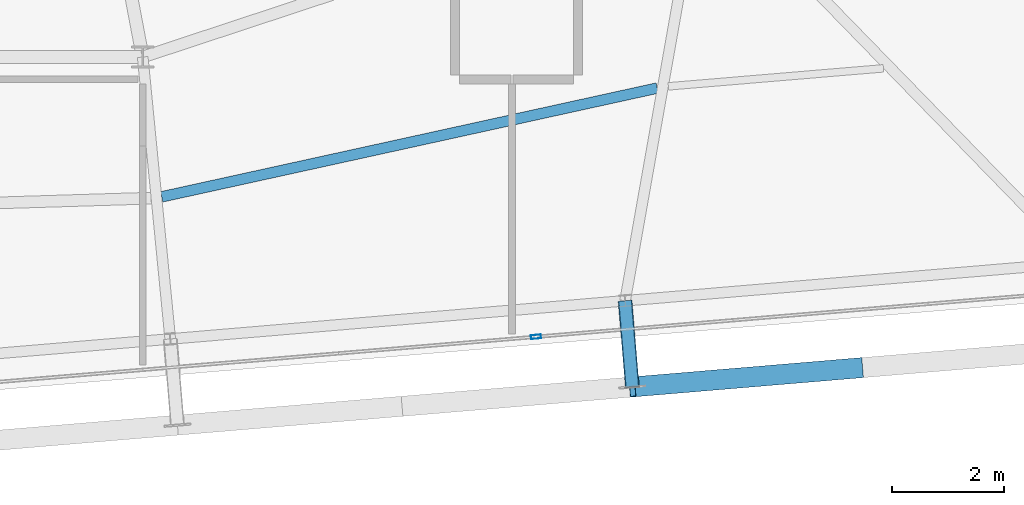
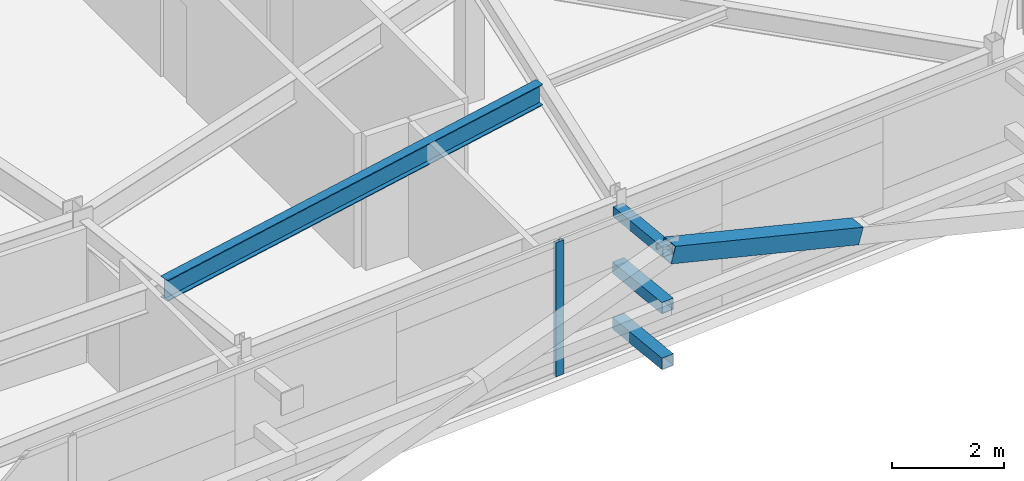
# One storey, part 16 of 37: 5 members, 1 beam, 1 element without a shape of its own.
"""IFC4 building model written with IfcOpenShell, lengths in metres."""

from ifc_helpers import new_model, si_unit, direction, frame, origin, origin_2d, place, context, subcontext, project, spatial, hollow_rectangle, i_section, extrude, source, transform, mapped, material, layer, layer_set, material_profile, profile_set, type_object, element, aggregate, save


model = new_model("IFC4")

# Units and contexts
model_context = context("Model", 3, precision=1e-05, world=origin(), true_north=direction((0.0, 1.0)))
body_context = subcontext(model_context, "Body", "Model", "MODEL_VIEW")
ifc_project = project(units=[si_unit("LENGTHUNIT", "METRE"), si_unit("AREAUNIT", "SQUARE_METRE"), si_unit("VOLUMEUNIT", "CUBIC_METRE"), si_unit("PLANEANGLEUNIT", "RADIAN"), si_unit("MASSUNIT", "GRAM", prefix="KILO")], contexts=[model_context])

# Site, building, storey
site_placement = place(None, origin())
site = spatial("IfcSite", under=ifc_project, at=site_placement, CompositionType="ELEMENT")
building_placement = place(site_placement, origin())
building = spatial("IfcBuilding", under=site, at=building_placement, Name="Taldren Reach Tower", CompositionType="ELEMENT")
storey_placement = place(building_placement, frame((0.0, 0.0, 200.89990234375)))
storey = spatial("IfcBuildingStorey", under=building, at=storey_placement, Name="L61", CompositionType="ELEMENT", Elevation=200.89990234375)

# Members
ifc_material_1 = material(Name="Steel Gr 350 (C350L0)", Category="steel")
ifc_material_profile_1 = material_profile(ifc_material_1, hollow_rectangle(XDim=0.25, YDim=0.25, WallThickness=0.010009765625, at=origin_2d()), Name="250x250x10.0SHS")
ifc_profile_set_1 = profile_set([ifc_material_profile_1], Name="Steel Gr 350 (C350L0)")
member_type_1 = type_object("IfcMemberType", Name="MB-POST250", PredefinedType="POST", material=ifc_profile_set_1)
shared_shape_1 = source(origin(), body_context, "Body", "SweptSolid", [
    extrude(hollow_rectangle(XDim=0.25, YDim=0.25, WallThickness=0.010009765625, at=origin_2d()), origin(), (0.0, 0.0, 1.0), 1.550048828125),
])
for number, where, z_axis, x_axis, name in (
    (1, (50.644775390625, 4.83203125, 0.22021484375), (0.083788408178, -0.996483568683, 0.0), (0.996483568683, 0.083788408178, 0.0), "Exoskeleton base diaphragm tie strut B4-S5 L61"),
    (2, (50.644775390625, 4.83203125, 1.43505859375), (0.083788408178, -0.996483568683, 0.0), (0.996483568683, 0.083788408178, 0.0), "Exoskeleton mid-tier diaphragm tie B4-S5 L61"),
):
    element("IfcMember", number, at=place(storey_placement, frame(where, z_axis=z_axis, x_axis=x_axis)), inside=storey, type_object=member_type_1, Name=name, PredefinedType="POST", context=body_context, shape_type="MappedRepresentation", body=[
        mapped(shared_shape_1, transform((0.0, 0.0, 0.0), scale=1.0)),
    ])

# Beam
ifc_material_2 = material(Name="Steel Gr 350 (350PLUS)", Category="steel")
ifc_material_profile_2 = material_profile(ifc_material_2, i_section(OverallWidth=0.19091796875, OverallDepth=0.4599609375, WebThickness=0.010009765625, FlangeThickness=0.01611328125, at=origin_2d()), Name="460UB82.1")
ifc_profile_set_2 = profile_set([ifc_material_profile_2], Name="Steel Gr 350 (350PLUS)")
beam_type = type_object("IfcBeamType", Name="BM-UB460A", PredefinedType="BEAM", material=ifc_profile_set_2)
shared_shape_2 = source(origin(), body_context, "Body", "SweptSolid", [
    extrude(i_section(OverallWidth=0.19091796875, OverallDepth=0.4599609375, WebThickness=0.010009765625, FlangeThickness=0.01611328125, at=origin_2d()), origin(), (0.0, 0.0, 1.0), 9.09228515625),
])
beam_placement = place(storey_placement, frame((42.3408203125, 6.6943359375, 2.7001953125), z_axis=(0.97674420602, 0.214407919647, 0.0), x_axis=(-0.214407919647, 0.97674420602, 0.0)))
element("IfcBeam", 3, at=beam_placement, inside=storey, type_object=beam_type, Name="Secondary floor beam B4 J4 L61", PredefinedType="BEAM", context=body_context, shape_type="MappedRepresentation", body=[
    mapped(shared_shape_2, transform((0.0, 0.0, 0.0), scale=1.0)),
])

# Members
ifc_material_3 = material(Name="Steel Gr 450 (C450L0)", Category="steel")
ifc_material_profile_3 = material_profile(ifc_material_3, hollow_rectangle(XDim=0.219970703125, YDim=0.219970703125, WallThickness=0.00830078125, at=origin_2d()), Name="220x220x8.2SHS")
ifc_profile_set_3 = profile_set([ifc_material_profile_3], Name="Steel Gr 450 (C450L0)")
member_type_2 = type_object("IfcMemberType", Name="MB-TIE219", PredefinedType="STRUT", material=ifc_profile_set_3)
shared_shape_3 = source(origin(), body_context, "Body", "SweptSolid", [
    extrude(hollow_rectangle(XDim=0.219970703125, YDim=0.219970703125, WallThickness=0.00830078125, at=origin_2d()), origin(), (0.0, 0.0, 1.0), 1.550048828125),
])
member_1_placement = place(storey_placement, frame((50.644775390625, 4.83203125, 2.650146484375), z_axis=(0.083788408178, -0.996483568683, 0.0), x_axis=(0.996483568683, 0.083788408178, 0.0)))
element("IfcMember", 4, at=member_1_placement, inside=storey, type_object=member_type_2, Name="Exoskeleton diaphragm tie strut B4-S5 L61", PredefinedType="STRUT", context=body_context, shape_type="MappedRepresentation", body=[
    mapped(shared_shape_3, transform((0.0, 0.0, 0.0), scale=1.0)),
])
ifc_material_profile_4 = material_profile(ifc_material_3, hollow_rectangle(XDim=0.360107421875, YDim=0.360107421875, WallThickness=0.0126953125, at=origin_2d()), Name="360x360x12.7SHS")
ifc_profile_set_4 = profile_set([ifc_material_profile_4], Name="Steel Gr 450 (C450L0)")
member_type_3 = type_object("IfcMemberType", Name="MB-EXO356", PredefinedType="BRACE", material=ifc_profile_set_4)
shared_shape_4 = source(origin(), body_context, "Body", "SweptSolid", [
    extrude(hollow_rectangle(XDim=0.360107421875, YDim=0.360107421875, WallThickness=0.0126953125, at=origin_2d()), origin(), (0.0, 0.0, 1.0), 4.2666015625),
])
member_2_placement = place(storey_placement, frame((54.850341796875, 3.629638671875, 1.43505859375), z_axis=(-0.955229159097, -0.080222312271, 0.284783486572), x_axis=(0.083687662192, -0.996492034688, 0.0)))
element("IfcMember", 5, at=member_2_placement, inside=storey, type_object=member_type_3, Name="Exoskeleton Diagrid Brace B4-S5 L61", PredefinedType="BRACE", context=body_context, shape_type="MappedRepresentation", body=[
    mapped(shared_shape_4, transform((0.0, 0.0, 0.0), scale=1.0)),
])

# Curtain wall, member
ifc_material_4 = material(Name="Aluminium and Low-E Glass Unitised System", Category="aluminium")
ifc_layer = layer(ifc_material_4, 0.159912109375)
ifc_layer_set = layer_set([ifc_layer], Name="Aluminium and Low-E Glass Unitised System")
curtain_wall_type = type_object("IfcCurtainWallType", Name="CW-SYS-5", PredefinedType="NOTDEFINED", material=ifc_layer_set)
curtain_wall_placement = place(storey_placement, origin())
curtain_wall = element("IfcCurtainWall", 6, at=curtain_wall_placement, inside=storey, type_object=curtain_wall_type, Name="Unitised curtain wall CW-L61-S", PredefinedType="NOTDEFINED")
ifc_material_5 = material(Name="Anodised Aluminium 6063-T6", Category="aluminium")
ifc_material_profile_5 = material_profile(ifc_material_5, hollow_rectangle(XDim=0.070068359375, YDim=0.179931640625, WallThickness=0.00390625, at=origin_2d()), Name="ALU-180x70x4RHS")
ifc_profile_set_5 = profile_set([ifc_material_profile_5], Name="Anodised Aluminium 6063-T6")
member_type_4 = type_object("IfcMemberType", Name="CW-MUL-180", PredefinedType="MULLION", material=ifc_profile_set_5)
shared_shape_5 = source(origin(), body_context, "Body", "SweptSolid", [
    extrude(hollow_rectangle(XDim=0.070068359375, YDim=0.179931640625, WallThickness=0.00390625, at=origin_2d()), origin(), (0.0, 0.0, 1.0), 2.93017578125),
])
member_3_placement = place(storey_placement, frame((49.04833984375, 4.18603515625, 0.0), z_axis=(0.0, 0.0, 1.0), x_axis=(-0.083677894865, 0.996492854922, 0.0)))
member_3 = element("IfcMember", 7, at=member_3_placement, type_object=member_type_4, Name="CW-5 mullion 4", PredefinedType="MULLION", context=body_context, shape_type="MappedRepresentation", body=[
    mapped(shared_shape_5, transform((0.0, 0.0, 0.0), scale=1.0)),
])
aggregate(curtain_wall, [member_3])

save(model, "model.ifc")
